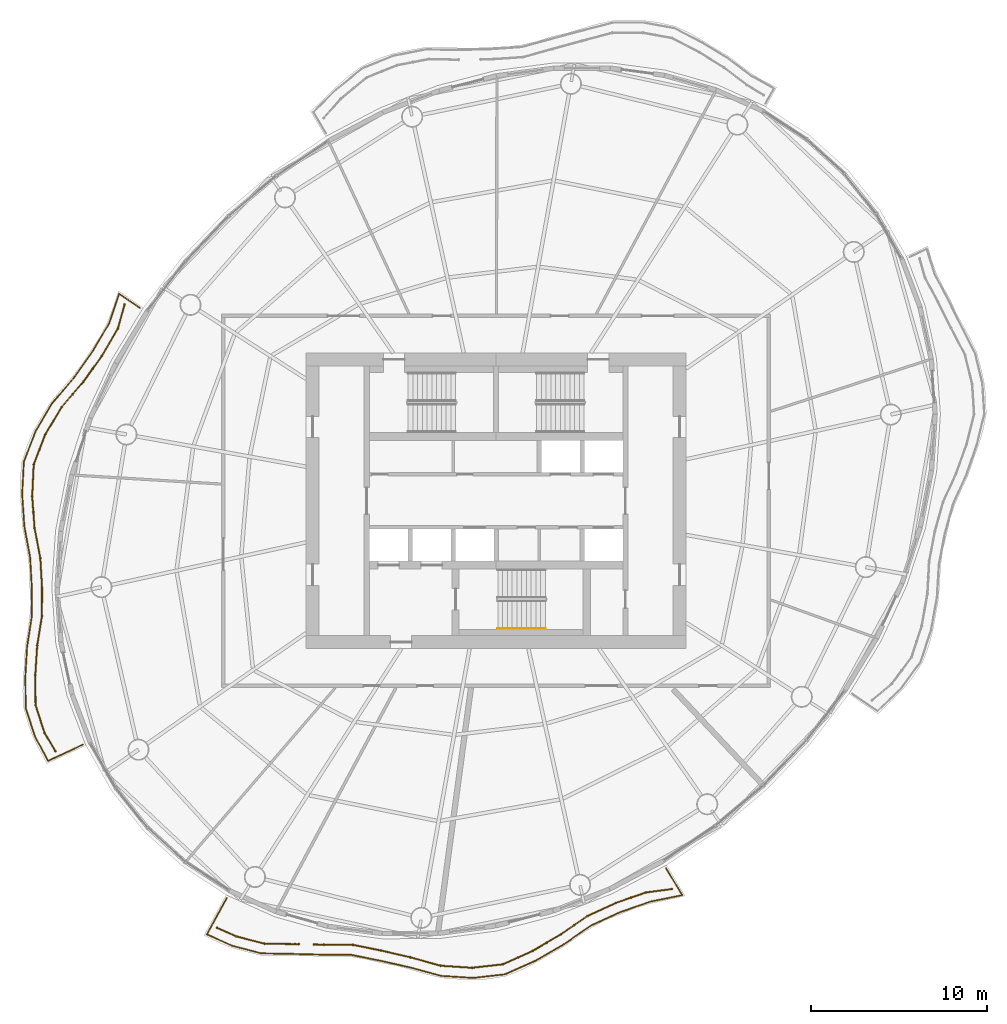
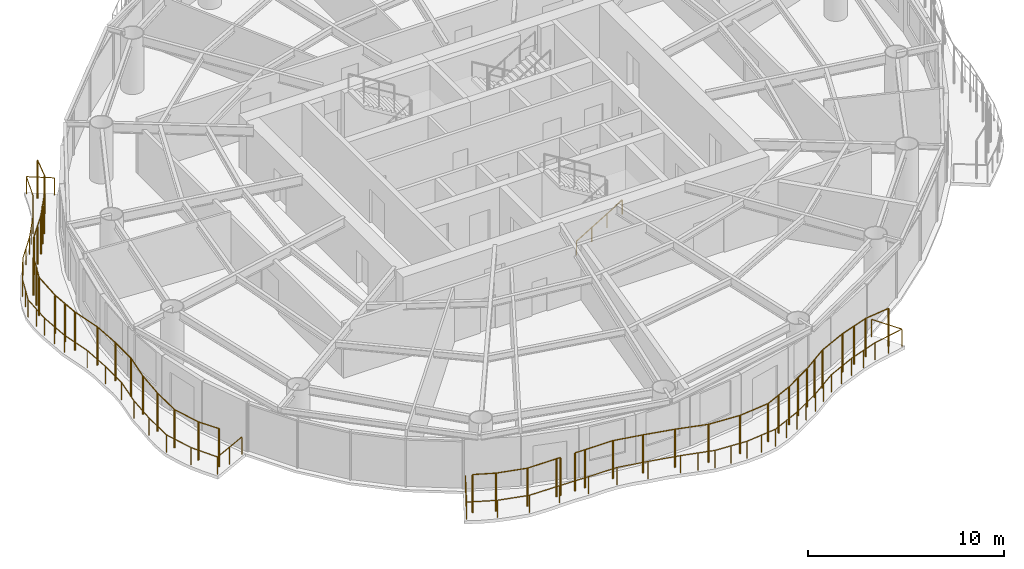
# One storey, part 12 of 14: 6 railings.
"""IFC4 building model written with IfcOpenShell, lengths in metres."""

from ifc_helpers import new_model, si_unit, direction, frame, origin, origin_2d, place, context, subcontext, project, spatial, circle, extrude, material, type_object, element, save


model = new_model("IFC4")

# Units and contexts
model_context = context("Model", 3, precision=1e-05, world=origin(), true_north=direction((0.0, 1.0)))
body_context = subcontext(model_context, "Body", "Model", "MODEL_VIEW")
ifc_project = project(units=[si_unit("LENGTHUNIT", "METRE"), si_unit("AREAUNIT", "SQUARE_METRE"), si_unit("VOLUMEUNIT", "CUBIC_METRE"), si_unit("PLANEANGLEUNIT", "RADIAN"), si_unit("MASSUNIT", "GRAM", prefix="KILO")], contexts=[model_context])

# Site, building, storey
site_placement = place(None, origin())
site = spatial("IfcSite", under=ifc_project, at=site_placement, CompositionType="ELEMENT")
building_placement = place(site_placement, origin())
building = spatial("IfcBuilding", under=site, at=building_placement, Name="Vermilion Reach Broadcast Tower", CompositionType="ELEMENT")
storey_placement = place(building_placement, frame((0.0, 0.0, 206.5)))
storey = spatial("IfcBuildingStorey", under=building, at=storey_placement, Name="L50", CompositionType="ELEMENT", Elevation=206.5)

# Railings
ifc_material_1 = material(Name="Terracotta baguette", Category="masonry")
railing_type_1 = type_object("IfcRailingType", Name="BAGUETTE SCREEN", PredefinedType="USERDEFINED", material=ifc_material_1)
railing_1_placement = place(storey_placement, frame((-27.10693359375, 11.153564453125, 0.0)))
element("IfcRailing", 1, at=railing_1_placement, inside=storey, type_object=railing_type_1, Name="Baguette screen L50 group 2", ObjectType="BAGUETTE SCREEN", PredefinedType="USERDEFINED", context=body_context, shape_type="SweptSolid", body=[
    extrude(circle(Radius=0.030029296875, at=origin_2d()), frame((0.0, 0.0, 2.369873046875), z_axis=(-0.26757304675, -0.963537578226, 0.0), x_axis=(0.963537578226, -0.26757304675, 0.0)), (0.0, 0.0, 1.0), 1.42236328125),
    extrude(circle(Radius=0.030029296875, at=origin_2d()), frame((-0.380615234375, -1.37060546875, 2.369873046875), z_axis=(-0.506343305904, -0.862331987442, 0.0), x_axis=(0.862331987442, -0.506343305904, 0.0)), (0.0, 0.0, 1.0), 1.797607421875),
    extrude(circle(Radius=0.030029296875, at=origin_2d()), frame((-1.290771484375, -2.920654296875, 2.369873046875), z_axis=(-0.581891915978, -0.813266129948, 0.0), x_axis=(0.813266129948, -0.581891915978, 0.0)), (0.0, 0.0, 1.0), 1.80126953125),
    extrude(circle(Radius=0.030029296875, at=origin_2d()), frame((-2.3388671875, -4.385498046875, 2.369873046875), z_axis=(-0.651184430112, -0.758919520094, 0.0), x_axis=(0.758919520094, -0.651184430112, 0.0)), (0.0, 0.0, 1.0), 1.89208984375),
    extrude(circle(Radius=0.030029296875, at=origin_2d()), frame((-3.571044921875, -5.821533203125, 2.369873046875), z_axis=(-0.51243530687, -0.858725833007, 0.0), x_axis=(0.858725833007, -0.51243530687, 0.0)), (0.0, 0.0, 1.0), 1.830810546875),
    extrude(circle(Radius=0.030029296875, at=origin_2d()), frame((-4.50927734375, -7.393798828125, 2.369873046875), z_axis=(-0.358278659493, -0.933614696838, 0.0), x_axis=(0.933614696838, -0.358278659493, 0.0)), (0.0, 0.0, 1.0), 1.822021484375),
    extrude(circle(Radius=0.030029296875, at=origin_2d()), frame((-5.162109375, -9.094970703125, 2.369873046875), z_axis=(-0.047352418843, -0.998878245048, 0.0), x_axis=(0.998878245048, -0.047352418843, 0.0)), (0.0, 0.0, 1.0), 1.79931640625),
    extrude(circle(Radius=0.030029296875, at=origin_2d()), frame((-5.247314453125, -10.892333984375, 2.369873046875), z_axis=(0.072334800683, -0.997380407172, 0.0), x_axis=(0.997380407172, 0.072334800683, 0.0)), (0.0, 0.0, 1.0), 1.80224609375),
    extrude(circle(Radius=0.030029296875, at=origin_2d()), frame((-5.116943359375, -12.68994140625, 2.369873046875), z_axis=(0.1889093531, -0.981994529675, 0.0), x_axis=(0.981994529675, 0.1889093531, 0.0)), (0.0, 0.0, 1.0), 1.753662109375),
    extrude(circle(Radius=0.030029296875, at=origin_2d()), frame((-4.78564453125, -14.412109375, 2.369873046875), z_axis=(0.057753470381, -0.998330875341, 0.0), x_axis=(0.998330875341, 0.057753470381, 0.0)), (0.0, 0.0, 1.0), 1.669677734375),
    extrude(circle(Radius=0.030029296875, at=origin_2d()), frame((-4.689208984375, -16.0791015625, 2.369873046875), z_axis=(-0.003466967406, -0.99999399005, 0.0), x_axis=(0.99999399005, -0.003466967406, 0.0)), (0.0, 0.0, 1.0), 1.61962890625),
    extrude(circle(Radius=0.030029296875, at=origin_2d()), frame((-4.69482421875, -17.69873046875, 2.369873046875), z_axis=(-0.158074647364, -0.987427164838, 0.0), x_axis=(0.987427164838, -0.158074647364, 0.0)), (0.0, 0.0, 1.0), 1.697265625),
    extrude(circle(Radius=0.030029296875, at=origin_2d()), frame((-4.963134765625, -19.374755859375, 2.369873046875), z_axis=(-0.064713963172, -0.997903854572, 0.0), x_axis=(0.997903854572, -0.064713963172, 0.0)), (0.0, 0.0, 1.0), 1.6787109375),
    extrude(circle(Radius=0.030029296875, at=origin_2d()), frame((-5.07177734375, -21.050048828125, 2.369873046875), z_axis=(0.008546696379, -0.999963476324, 0.0), x_axis=(0.999963476324, 0.008546696379, 0.0)), (0.0, 0.0, 1.0), 1.7138671875),
    extrude(circle(Radius=0.030029296875, at=origin_2d()), frame((-5.05712890625, -22.763916015625, 2.369873046875), z_axis=(0.308352576675, -0.951272142164, 0.0), x_axis=(0.951272142164, 0.308352576675, 0.0)), (0.0, 0.0, 1.0), 1.6484375),
    extrude(circle(Radius=0.030029296875, at=origin_2d()), frame((-4.548828125, -24.33203125, 2.369873046875), z_axis=(0.507681605412, -0.86154476815, 0.0), x_axis=(0.86154476815, 0.507681605412, 0.0)), (0.0, 0.0, 1.0), 1.20947265625),
    extrude(circle(Radius=0.050048828125, at=origin_2d()), origin(), (0.0, 0.0, 1.0), 2.33984375),
    extrude(circle(Radius=0.050048828125, at=origin_2d()), frame((-0.380615234375, -1.37060546875, 0.0)), (0.0, 0.0, 1.0), 2.33984375),
    extrude(circle(Radius=0.050048828125, at=origin_2d()), frame((-1.290771484375, -2.920654296875, 0.0)), (0.0, 0.0, 1.0), 2.33984375),
    extrude(circle(Radius=0.050048828125, at=origin_2d()), frame((-1.81494140625, -3.653076171875, 0.0)), (0.0, 0.0, 1.0), 2.33984375),
    extrude(circle(Radius=0.050048828125, at=origin_2d()), frame((-2.3388671875, -4.385498046875, 0.0)), (0.0, 0.0, 1.0), 2.33984375),
    extrude(circle(Radius=0.050048828125, at=origin_2d()), frame((-2.955078125, -5.103515625, 0.0)), (0.0, 0.0, 1.0), 2.33984375),
    extrude(circle(Radius=0.050048828125, at=origin_2d()), frame((-3.571044921875, -5.821533203125, 0.0)), (0.0, 0.0, 1.0), 2.33984375),
    extrude(circle(Radius=0.050048828125, at=origin_2d()), frame((-4.0400390625, -6.607666015625, 0.0)), (0.0, 0.0, 1.0), 2.33984375),
    extrude(circle(Radius=0.050048828125, at=origin_2d()), frame((-4.50927734375, -7.393798828125, 0.0)), (0.0, 0.0, 1.0), 2.33984375),
    extrude(circle(Radius=0.050048828125, at=origin_2d()), frame((-4.835693359375, -8.244384765625, 0.0)), (0.0, 0.0, 1.0), 2.33984375),
    extrude(circle(Radius=0.050048828125, at=origin_2d()), frame((-5.162109375, -9.094970703125, 0.0)), (0.0, 0.0, 1.0), 2.33984375),
    extrude(circle(Radius=0.050048828125, at=origin_2d()), frame((-5.247314453125, -10.892333984375, 0.0)), (0.0, 0.0, 1.0), 2.33984375),
    extrude(circle(Radius=0.050048828125, at=origin_2d()), frame((-5.18212890625, -11.791015625, 0.0)), (0.0, 0.0, 1.0), 2.33984375),
    extrude(circle(Radius=0.050048828125, at=origin_2d()), frame((-5.116943359375, -12.68994140625, 0.0)), (0.0, 0.0, 1.0), 2.33984375),
    extrude(circle(Radius=0.050048828125, at=origin_2d()), frame((-4.78564453125, -14.412109375, 0.0)), (0.0, 0.0, 1.0), 2.33984375),
    extrude(circle(Radius=0.050048828125, at=origin_2d()), frame((-4.689208984375, -16.0791015625, 0.0)), (0.0, 0.0, 1.0), 2.33984375),
    extrude(circle(Radius=0.050048828125, at=origin_2d()), frame((-4.69482421875, -17.69873046875, 0.0)), (0.0, 0.0, 1.0), 2.33984375),
    extrude(circle(Radius=0.050048828125, at=origin_2d()), frame((-4.963134765625, -19.374755859375, 0.0)), (0.0, 0.0, 1.0), 2.33984375),
    extrude(circle(Radius=0.050048828125, at=origin_2d()), frame((-5.07177734375, -21.050048828125, 0.0)), (0.0, 0.0, 1.0), 2.33984375),
    extrude(circle(Radius=0.050048828125, at=origin_2d()), frame((-5.05712890625, -22.763916015625, 0.0)), (0.0, 0.0, 1.0), 2.33984375),
    extrude(circle(Radius=0.050048828125, at=origin_2d()), frame((-4.548828125, -24.33203125, 0.0)), (0.0, 0.0, 1.0), 2.33984375),
    extrude(circle(Radius=0.050048828125, at=origin_2d()), frame((-3.934814453125, -25.3740234375, 0.0)), (0.0, 0.0, 1.0), 2.33984375),
])
railing_2_placement = place(storey_placement, frame((-21.852294921875, -24.2587890625, 0.0)))
element("IfcRailing", 2, at=railing_2_placement, inside=storey, type_object=railing_type_1, Name="Baguette screen L50 group 3 part 1", ObjectType="BAGUETTE SCREEN", PredefinedType="USERDEFINED", context=body_context, shape_type="SweptSolid", body=[
    extrude(circle(Radius=0.030029296875, at=origin_2d()), frame((0.0, 0.0, 2.369873046875), z_axis=(0.9140868449, -0.405518482909, 0.0), x_axis=(0.405518482909, 0.9140868449, 0.0)), (0.0, 0.0, 1.0), 1.205810546875),
    extrude(circle(Radius=0.030029296875, at=origin_2d()), frame((1.102294921875, -0.489013671875, 2.369873046875), z_axis=(0.967805237382, -0.251700263202, 0.0), x_axis=(0.251700263202, 0.967805237382, 0.0)), (0.0, 0.0, 1.0), 1.65283203125),
    extrude(circle(Radius=0.030029296875, at=origin_2d()), frame((2.701904296875, -0.905029296875, 2.369873046875), z_axis=(0.999949292122, -0.010070411311, 0.0), x_axis=(0.010070411311, 0.999949292122, 0.0)), (0.0, 0.0, 1.0), 1.72119140625),
    extrude(circle(Radius=0.030029296875, at=origin_2d()), frame((4.423095703125, -0.92236328125, 2.369873046875), z_axis=(0.999787991135, -0.02059059936, 0.0), x_axis=(0.02059059936, 0.999787991135, 0.0)), (0.0, 0.0, 1.0), 0.21337890625),
    extrude(circle(Radius=0.050048828125, at=origin_2d()), origin(), (0.0, 0.0, 1.0), 2.33984375),
    extrude(circle(Radius=0.050048828125, at=origin_2d()), frame((1.102294921875, -0.489013671875, 0.0)), (0.0, 0.0, 1.0), 2.33984375),
    extrude(circle(Radius=0.050048828125, at=origin_2d()), frame((2.701904296875, -0.905029296875, 0.0)), (0.0, 0.0, 1.0), 2.33984375),
    extrude(circle(Radius=0.050048828125, at=origin_2d()), frame((4.423095703125, -0.92236328125, 0.0)), (0.0, 0.0, 1.0), 2.33984375),
    extrude(circle(Radius=0.050048828125, at=origin_2d()), frame((4.636474609375, -0.9267578125, 0.0)), (0.0, 0.0, 1.0), 2.33984375),
])
railing_3_placement = place(storey_placement, frame((-16.34423828125, -25.202392578125, 0.0)))
element("IfcRailing", 3, at=railing_3_placement, inside=storey, type_object=railing_type_1, Name="Baguette screen L50 group 3 part 2", ObjectType="BAGUETTE SCREEN", PredefinedType="USERDEFINED", context=body_context, shape_type="SweptSolid", body=[
    extrude(circle(Radius=0.030029296875, at=origin_2d()), frame((0.0, 0.0, 2.369873046875), z_axis=(0.99980898831, -0.019544485002, 0.0), x_axis=(0.019544485002, 0.99980898831, 0.0)), (0.0, 0.0, 1.0), 0.56201171875),
    extrude(circle(Radius=0.030029296875, at=origin_2d()), frame((0.56201171875, -0.010986328125, 2.369873046875), z_axis=(0.999985735849, -0.005341170102, 0.0), x_axis=(0.005341170102, 0.999985735849, 0.0)), (0.0, 0.0, 1.0), 1.6455078125),
    extrude(circle(Radius=0.030029296875, at=origin_2d()), frame((2.20751953125, -0.019775390625, 2.369873046875), z_axis=(0.979817257663, -0.199895326575, 0.0), x_axis=(0.199895326575, 0.979817257663, 0.0)), (0.0, 0.0, 1.0), 1.626708984375),
    extrude(circle(Radius=0.030029296875, at=origin_2d()), frame((3.801513671875, -0.344970703125, 2.369873046875), z_axis=(0.974557058933, -0.224139552252, 0.0), x_axis=(0.224139552252, 0.974557058933, 0.0)), (0.0, 0.0, 1.0), 1.708984375),
    extrude(circle(Radius=0.030029296875, at=origin_2d()), frame((5.467041015625, -0.72802734375, 2.369873046875), z_axis=(0.963117227334, -0.269082155507, 0.0), x_axis=(0.269082155507, 0.963117227334, 0.0)), (0.0, 0.0, 1.0), 1.78564453125),
    extrude(circle(Radius=0.030029296875, at=origin_2d()), frame((7.186767578125, -1.20849609375, 2.369873046875), z_axis=(0.997848496314, -0.065562019523, 0.0), x_axis=(0.065562019523, 0.997848496314, 0.0)), (0.0, 0.0, 1.0), 1.794921875),
    extrude(circle(Radius=0.030029296875, at=origin_2d()), frame((8.977783203125, -1.326171875, 2.369873046875), z_axis=(0.993650653194, 0.112509463631, 0.0), x_axis=(-0.112509463631, 0.993650653194, 0.0)), (0.0, 0.0, 1.0), 1.779296875),
    extrude(circle(Radius=0.030029296875, at=origin_2d()), frame((10.745849609375, -1.1259765625, 2.369873046875), z_axis=(0.910737470012, 0.412985787548, 0.0), x_axis=(-0.412985787548, 0.910737470012, 0.0)), (0.0, 0.0, 1.0), 1.84619140625),
    extrude(circle(Radius=0.030029296875, at=origin_2d()), frame((12.42724609375, -0.363525390625, 2.369873046875), z_axis=(0.863247752288, 0.504780465321, 0.0), x_axis=(-0.504780465321, 0.863247752288, 0.0)), (0.0, 0.0, 1.0), 1.83544921875),
    extrude(circle(Radius=0.030029296875, at=origin_2d()), frame((14.01171875, 0.56298828125, 2.369873046875), z_axis=(0.822661928513, 0.568530871084, 0.0), x_axis=(-0.568530871084, 0.822661928513, 0.0)), (0.0, 0.0, 1.0), 1.851318359375),
    extrude(circle(Radius=0.030029296875, at=origin_2d()), frame((15.53466796875, 1.615478515625, 2.369873046875), z_axis=(0.907604064961, 0.419827180238, 0.0), x_axis=(-0.419827180238, 0.907604064961, 0.0)), (0.0, 0.0, 1.0), 1.771240234375),
    extrude(circle(Radius=0.030029296875, at=origin_2d()), frame((17.142333984375, 2.359130859375, 2.369873046875), z_axis=(0.94503241908, 0.326976645782, 0.0), x_axis=(-0.326976645782, 0.94503241908, 0.0)), (0.0, 0.0, 1.0), 1.81591796875),
    extrude(circle(Radius=0.030029296875, at=origin_2d()), frame((18.8583984375, 2.952880859375, 2.369873046875), z_axis=(0.991448672213, 0.13049724276, 0.0), x_axis=(-0.13049724276, 0.991448672213, 0.0)), (0.0, 0.0, 1.0), 1.47802734375),
    extrude(circle(Radius=0.050048828125, at=origin_2d()), origin(), (0.0, 0.0, 1.0), 2.33984375),
    extrude(circle(Radius=0.050048828125, at=origin_2d()), frame((0.56201171875, -0.010986328125, 0.0)), (0.0, 0.0, 1.0), 2.33984375),
    extrude(circle(Radius=0.050048828125, at=origin_2d()), frame((2.20751953125, -0.019775390625, 0.0)), (0.0, 0.0, 1.0), 2.33984375),
    extrude(circle(Radius=0.050048828125, at=origin_2d()), frame((3.801513671875, -0.344970703125, 0.0)), (0.0, 0.0, 1.0), 2.33984375),
    extrude(circle(Radius=0.050048828125, at=origin_2d()), frame((5.467041015625, -0.72802734375, 0.0)), (0.0, 0.0, 1.0), 2.33984375),
    extrude(circle(Radius=0.050048828125, at=origin_2d()), frame((7.186767578125, -1.20849609375, 0.0)), (0.0, 0.0, 1.0), 2.33984375),
    extrude(circle(Radius=0.050048828125, at=origin_2d()), frame((8.977783203125, -1.326171875, 0.0)), (0.0, 0.0, 1.0), 2.33984375),
    extrude(circle(Radius=0.050048828125, at=origin_2d()), frame((10.745849609375, -1.1259765625, 0.0)), (0.0, 0.0, 1.0), 2.33984375),
    extrude(circle(Radius=0.050048828125, at=origin_2d()), frame((11.58642578125, -0.74462890625, 0.0)), (0.0, 0.0, 1.0), 2.33984375),
    extrude(circle(Radius=0.050048828125, at=origin_2d()), frame((12.42724609375, -0.363525390625, 0.0)), (0.0, 0.0, 1.0), 2.33984375),
    extrude(circle(Radius=0.050048828125, at=origin_2d()), frame((13.219482421875, 0.099609375, 0.0)), (0.0, 0.0, 1.0), 2.33984375),
    extrude(circle(Radius=0.050048828125, at=origin_2d()), frame((14.01171875, 0.56298828125, 0.0)), (0.0, 0.0, 1.0), 2.33984375),
    extrude(circle(Radius=0.050048828125, at=origin_2d()), frame((14.773193359375, 1.08935546875, 0.0)), (0.0, 0.0, 1.0), 2.33984375),
    extrude(circle(Radius=0.050048828125, at=origin_2d()), frame((15.53466796875, 1.615478515625, 0.0)), (0.0, 0.0, 1.0), 2.33984375),
    extrude(circle(Radius=0.050048828125, at=origin_2d()), frame((17.142333984375, 2.359130859375, 0.0)), (0.0, 0.0, 1.0), 2.33984375),
    extrude(circle(Radius=0.050048828125, at=origin_2d()), frame((18.00048828125, 2.656005859375, 0.0)), (0.0, 0.0, 1.0), 2.33984375),
    extrude(circle(Radius=0.050048828125, at=origin_2d()), frame((18.8583984375, 2.952880859375, 0.0)), (0.0, 0.0, 1.0), 2.33984375),
    extrude(circle(Radius=0.050048828125, at=origin_2d()), frame((20.32373046875, 3.145751953125, 0.0)), (0.0, 0.0, 1.0), 2.33984375),
])
ifc_material_2 = material(Name="Stainless steel 316 balustrade", Category="steel")
railing_type_2 = type_object("IfcRailingType", Name="Balcony guard 1100", PredefinedType="BALUSTRADE", material=ifc_material_2)
railing_4_placement = place(storey_placement, frame((-26.23193359375, 10.95361328125, 0.0)))
element("IfcRailing", 4, at=railing_4_placement, inside=storey, type_object=railing_type_2, Name="Balcony guard L50 group 2", PredefinedType="BALUSTRADE", context=body_context, shape_type="SweptSolid", body=[
    extrude(circle(Radius=0.02490234375, at=origin_2d()), frame((0.0, 0.0, 1.0751953125), z_axis=(-0.825119161647, 0.564958732195, 0.0), x_axis=(-0.564958732195, -0.825119161647, 0.0)), (0.0, 0.0, 1.0), 1.432861328125),
    extrude(circle(Radius=0.02490234375, at=origin_2d()), frame((-1.182373046875, 0.8095703125, 1.0751953125), z_axis=(-0.32085086731, -0.947129727622, 0.0), x_axis=(0.947129727622, -0.32085086731, 0.0)), (0.0, 0.0, 1.0), 1.77294921875),
    extrude(circle(Radius=0.02490234375, at=origin_2d()), frame((-1.751220703125, -0.86962890625, 1.0751953125), z_axis=(-0.506232920728, -0.862396793809, 0.0), x_axis=(0.862396793809, -0.506232920728, 0.0)), (0.0, 0.0, 1.0), 1.830322265625),
    extrude(circle(Radius=0.02490234375, at=origin_2d()), frame((-2.677734375, -2.447998046875, 1.0751953125), z_axis=(-0.57952378636, -0.814955324569, 0.0), x_axis=(0.814955324569, -0.57952378636, 0.0)), (0.0, 0.0, 1.0), 1.83349609375),
    extrude(circle(Radius=0.02490234375, at=origin_2d()), frame((-3.740234375, -3.942138671875, 1.0751953125), z_axis=(-0.647107049243, -0.762399151901, 0.0), x_axis=(0.762399151901, -0.647107049243, 0.0)), (0.0, 0.0, 1.0), 1.9248046875),
    extrude(circle(Radius=0.02490234375, at=origin_2d()), frame((-4.98583984375, -5.40966796875, 1.0751953125), z_axis=(-0.509479246919, -0.860482944025, 0.0), x_axis=(0.860482944025, -0.509479246919, 0.0)), (0.0, 0.0, 1.0), 1.864013671875),
    extrude(circle(Radius=0.02490234375, at=origin_2d()), frame((-5.935546875, -7.013671875, 1.0751953125), z_axis=(-0.35686425063, -0.934156253858, 0.0), x_axis=(0.934156253858, -0.35686425063, 0.0)), (0.0, 0.0, 1.0), 1.857421875),
    extrude(circle(Radius=0.02490234375, at=origin_2d()), frame((-6.598388671875, -8.748779296875, 1.0751953125), z_axis=(-0.050707603877, -0.998713541967, 0.0), x_axis=(0.998713541967, -0.050707603877, 0.0)), (0.0, 0.0, 1.0), 1.83447265625),
    extrude(circle(Radius=0.02490234375, at=origin_2d()), frame((-6.69140625, -10.580810546875, 1.0751953125), z_axis=(0.067726474436, -0.997703926353, 0.0), x_axis=(0.997703926353, 0.067726474436, 0.0)), (0.0, 0.0, 1.0), 1.83837890625),
    extrude(circle(Radius=0.02490234375, at=origin_2d()), frame((-6.56689453125, -12.4150390625, 1.0751953125), z_axis=(0.183085775352, -0.98309694276, 0.0), x_axis=(0.98309694276, 0.183085775352, 0.0)), (0.0, 0.0, 1.0), 1.78955078125),
    extrude(circle(Radius=0.02490234375, at=origin_2d()), frame((-6.2392578125, -14.17431640625, 1.0751953125), z_axis=(0.055580807206, -0.998454192174, 0.0), x_axis=(0.998454192174, 0.055580807206, 0.0)), (0.0, 0.0, 1.0), 1.708740234375),
    extrude(circle(Radius=0.02490234375, at=origin_2d()), frame((-6.144287109375, -15.88037109375, 1.0751953125), z_axis=(-0.002501831758, -0.999996870414, 0.0), x_axis=(0.999996870414, -0.002501831758, 0.0)), (0.0, 0.0, 1.0), 1.658935546875),
    extrude(circle(Radius=0.02490234375, at=origin_2d()), frame((-6.1484375, -17.539306640625, 1.0751953125), z_axis=(-0.151919895741, -0.9883928092, 0.0), x_axis=(0.9883928092, -0.151919895741, 0.0)), (0.0, 0.0, 1.0), 1.7373046875),
    extrude(circle(Radius=0.02490234375, at=origin_2d()), frame((-6.412353515625, -19.25634765625, 1.0751953125), z_axis=(-0.058946836398, -0.998261123393, 0.0), x_axis=(0.998261123393, -0.058946836398, 0.0)), (0.0, 0.0, 1.0), 1.71875),
    extrude(circle(Radius=0.02490234375, at=origin_2d()), frame((-6.513671875, -20.97216796875, 1.0751953125), z_axis=(0.014319999826, -0.999897463546, 0.0), x_axis=(0.999897463546, 0.014319999826, 0.0)), (0.0, 0.0, 1.0), 1.756103515625),
    extrude(circle(Radius=0.02490234375, at=origin_2d()), frame((-6.488525390625, -22.72802734375, 1.0751953125), z_axis=(0.308684677908, -0.95116442828, 0.0), x_axis=(0.95116442828, 0.308684677908, 0.0)), (0.0, 0.0, 1.0), 1.691650390625),
    extrude(circle(Radius=0.02490234375, at=origin_2d()), frame((-5.96630859375, -24.337158203125, 1.0751953125), z_axis=(0.47334422757, -0.880877540993, 0.0), x_axis=(0.880877540993, 0.47334422757, 0.0)), (0.0, 0.0, 1.0), 1.580322265625),
    extrude(circle(Radius=0.02490234375, at=origin_2d()), frame((-5.21826171875, -25.729248046875, 1.0751953125), z_axis=(0.905345476043, 0.424675839917, 0.0), x_axis=(-0.424675839917, 0.905345476043, 0.0)), (0.0, 0.0, 1.0), 2.17138671875),
    extrude(circle(Radius=0.02490234375, at=origin_2d()), origin(), (0.0, 0.0, 1.0), 1.050048828125),
    extrude(circle(Radius=0.02490234375, at=origin_2d()), frame((-1.182373046875, 0.8095703125, 0.0)), (0.0, 0.0, 1.0), 1.050048828125),
    extrude(circle(Radius=0.02490234375, at=origin_2d()), frame((-1.751220703125, -0.86962890625, 0.0)), (0.0, 0.0, 1.0), 1.050048828125),
    extrude(circle(Radius=0.02490234375, at=origin_2d()), frame((-2.21435546875, -1.65869140625, 0.0)), (0.0, 0.0, 1.0), 1.050048828125),
    extrude(circle(Radius=0.02490234375, at=origin_2d()), frame((-2.677734375, -2.447998046875, 0.0)), (0.0, 0.0, 1.0), 1.050048828125),
    extrude(circle(Radius=0.02490234375, at=origin_2d()), frame((-3.208984375, -3.195068359375, 0.0)), (0.0, 0.0, 1.0), 1.050048828125),
    extrude(circle(Radius=0.02490234375, at=origin_2d()), frame((-3.740234375, -3.942138671875, 0.0)), (0.0, 0.0, 1.0), 1.050048828125),
    extrude(circle(Radius=0.02490234375, at=origin_2d()), frame((-4.363037109375, -4.67578125, 0.0)), (0.0, 0.0, 1.0), 1.050048828125),
    extrude(circle(Radius=0.02490234375, at=origin_2d()), frame((-4.98583984375, -5.40966796875, 0.0)), (0.0, 0.0, 1.0), 1.050048828125),
    extrude(circle(Radius=0.02490234375, at=origin_2d()), frame((-5.460693359375, -6.211669921875, 0.0)), (0.0, 0.0, 1.0), 1.050048828125),
    extrude(circle(Radius=0.02490234375, at=origin_2d()), frame((-5.935546875, -7.013671875, 0.0)), (0.0, 0.0, 1.0), 1.050048828125),
    extrude(circle(Radius=0.02490234375, at=origin_2d()), frame((-6.26708984375, -7.88134765625, 0.0)), (0.0, 0.0, 1.0), 1.050048828125),
    extrude(circle(Radius=0.02490234375, at=origin_2d()), frame((-6.598388671875, -8.748779296875, 0.0)), (0.0, 0.0, 1.0), 1.050048828125),
    extrude(circle(Radius=0.02490234375, at=origin_2d()), frame((-6.64501953125, -9.664794921875, 0.0)), (0.0, 0.0, 1.0), 1.050048828125),
    extrude(circle(Radius=0.02490234375, at=origin_2d()), frame((-6.69140625, -10.580810546875, 0.0)), (0.0, 0.0, 1.0), 1.050048828125),
    extrude(circle(Radius=0.02490234375, at=origin_2d()), frame((-6.629150390625, -11.498046875, 0.0)), (0.0, 0.0, 1.0), 1.050048828125),
    extrude(circle(Radius=0.02490234375, at=origin_2d()), frame((-6.56689453125, -12.4150390625, 0.0)), (0.0, 0.0, 1.0), 1.050048828125),
    extrude(circle(Radius=0.02490234375, at=origin_2d()), frame((-6.2392578125, -14.17431640625, 0.0)), (0.0, 0.0, 1.0), 1.050048828125),
    extrude(circle(Radius=0.02490234375, at=origin_2d()), frame((-6.144287109375, -15.88037109375, 0.0)), (0.0, 0.0, 1.0), 1.050048828125),
    extrude(circle(Radius=0.02490234375, at=origin_2d()), frame((-6.1484375, -17.539306640625, 0.0)), (0.0, 0.0, 1.0), 1.050048828125),
    extrude(circle(Radius=0.02490234375, at=origin_2d()), frame((-6.412353515625, -19.25634765625, 0.0)), (0.0, 0.0, 1.0), 1.050048828125),
    extrude(circle(Radius=0.02490234375, at=origin_2d()), frame((-6.513671875, -20.97216796875, 0.0)), (0.0, 0.0, 1.0), 1.050048828125),
    extrude(circle(Radius=0.02490234375, at=origin_2d()), frame((-6.488525390625, -22.72802734375, 0.0)), (0.0, 0.0, 1.0), 1.050048828125),
    extrude(circle(Radius=0.02490234375, at=origin_2d()), frame((-5.96630859375, -24.337158203125, 0.0)), (0.0, 0.0, 1.0), 1.050048828125),
    extrude(circle(Radius=0.02490234375, at=origin_2d()), frame((-5.21826171875, -25.729248046875, 0.0)), (0.0, 0.0, 1.0), 1.050048828125),
    extrude(circle(Radius=0.02490234375, at=origin_2d()), frame((-4.2353515625, -25.26806640625, 0.0)), (0.0, 0.0, 1.0), 1.050048828125),
    extrude(circle(Radius=0.02490234375, at=origin_2d()), frame((-3.25244140625, -24.80712890625, 0.0)), (0.0, 0.0, 1.0), 1.050048828125),
])
railing_5_placement = place(storey_placement, frame((-21.30078125, -22.568115234375, 0.0)))
element("IfcRailing", 5, at=railing_5_placement, inside=storey, type_object=railing_type_2, Name="Balcony guard L50 group 3", PredefinedType="BALUSTRADE", context=body_context, shape_type="SweptSolid", body=[
    extrude(circle(Radius=0.02490234375, at=origin_2d()), frame((0.0, 0.0, 1.0751953125), z_axis=(-0.480675649883, -0.876898465964, 0.0), x_axis=(0.876898465964, -0.480675649883, 0.0)), (0.0, 0.0, 1.0), 2.353271484375),
    extrude(circle(Radius=0.02490234375, at=origin_2d()), frame((-1.131103515625, -2.0634765625, 1.0751953125), z_axis=(0.913039304317, -0.407871583678, 0.0), x_axis=(0.407871583678, 0.913039304317, 0.0)), (0.0, 0.0, 1.0), 1.580810546875),
    extrude(circle(Radius=0.02490234375, at=origin_2d()), frame((0.312255859375, -2.708251953125, 1.0751953125), z_axis=(0.966945730032, -0.254982264426, 0.0), x_axis=(0.254982264426, 0.966945730032, 0.0)), (0.0, 0.0, 1.0), 1.69580078125),
    extrude(circle(Radius=0.02490234375, at=origin_2d()), frame((1.951904296875, -3.140625, 1.0751953125), z_axis=(0.999847672576, -0.01745370002, 0.0), x_axis=(0.01745370002, 0.999847672576, 0.0)), (0.0, 0.0, 1.0), 1.762451171875),
    extrude(circle(Radius=0.02490234375, at=origin_2d()), frame((3.714111328125, -3.17138671875, 1.0751953125), z_axis=(0.999690351451, -0.024883754045, 0.0), x_axis=(0.024883754045, 0.999690351451, 0.0)), (0.0, 0.0, 1.0), 1.6875),
    extrude(circle(Radius=0.02490234375, at=origin_2d()), frame((5.401123046875, -3.21337890625, 1.0751953125), z_axis=(0.999957073738, -0.009265564314, 0.0), x_axis=(0.009265564314, 0.999957073738, 0.0)), (0.0, 0.0, 1.0), 1.686279296875),
    extrude(circle(Radius=0.02490234375, at=origin_2d()), frame((7.08740234375, -3.22900390625, 1.0751953125), z_axis=(0.980314812475, -0.197440797309, 0.0), x_axis=(0.197440797309, 0.980314812475, 0.0)), (0.0, 0.0, 1.0), 1.66552734375),
    extrude(circle(Radius=0.02490234375, at=origin_2d()), frame((8.72021484375, -3.557861328125, 1.0751953125), z_axis=(0.975525165692, -0.219887814807, 0.0), x_axis=(0.219887814807, 0.975525165692, 0.0)), (0.0, 0.0, 1.0), 1.74755859375),
    extrude(circle(Radius=0.02490234375, at=origin_2d()), frame((10.425048828125, -3.942138671875, 1.0751953125), z_axis=(0.964748350266, -0.263174126122, 0.0), x_axis=(0.263174126122, 0.964748350266, 0.0)), (0.0, 0.0, 1.0), 1.821044921875),
    extrude(circle(Radius=0.02490234375, at=origin_2d()), frame((12.181884765625, -4.42138671875, 1.0751953125), z_axis=(0.99806086774, -0.062245516191, 0.0), x_axis=(0.062245516191, 0.99806086774, 0.0)), (0.0, 0.0, 1.0), 1.831787109375),
    extrude(circle(Radius=0.02490234375, at=origin_2d()), frame((14.010009765625, -4.535400390625, 1.0751953125), z_axis=(0.993547841082, 0.113413788765, 0.0), x_axis=(-0.113413788765, 0.993547841082, 0.0)), (0.0, 0.0, 1.0), 1.814697265625),
    extrude(circle(Radius=0.02490234375, at=origin_2d()), frame((15.81298828125, -4.32958984375, 1.0751953125), z_axis=(0.912312088031, 0.409495609296, 0.0), x_axis=(-0.409495609296, 0.912312088031, 0.0)), (0.0, 0.0, 1.0), 1.881103515625),
    extrude(circle(Radius=0.02490234375, at=origin_2d()), frame((17.529052734375, -3.559326171875, 1.0751953125), z_axis=(0.865503816444, 0.500902329523, 0.0), x_axis=(-0.500902329523, 0.865503816444, 0.0)), (0.0, 0.0, 1.0), 1.8681640625),
    extrude(circle(Radius=0.02490234375, at=origin_2d()), frame((19.14599609375, -2.62353515625, 1.0751953125), z_axis=(0.825291369107, 0.564707141869, 0.0), x_axis=(-0.564707141869, 0.825291369107, 0.0)), (0.0, 0.0, 1.0), 1.884033203125),
    extrude(circle(Radius=0.02490234375, at=origin_2d()), frame((20.700927734375, -1.5595703125, 1.0751953125), z_axis=(0.907856367135, 0.419281309687, 0.0), x_axis=(-0.419281309687, 0.907856367135, 0.0)), (0.0, 0.0, 1.0), 1.803955078125),
    extrude(circle(Radius=0.02490234375, at=origin_2d()), frame((22.338623046875, -0.80322265625, 1.0751953125), z_axis=(0.944330971245, 0.328996985926, 0.0), x_axis=(-0.328996985926, 0.944330971245, 0.0)), (0.0, 0.0, 1.0), 1.848388671875),
    extrude(circle(Radius=0.02490234375, at=origin_2d()), frame((24.084228515625, -0.195068359375, 1.0751953125), z_axis=(0.980103576787, 0.198486721896, 0.0), x_axis=(-0.198486721896, 0.980103576787, 0.0)), (0.0, 0.0, 1.0), 1.821533203125),
    extrude(circle(Radius=0.02490234375, at=origin_2d()), frame((25.86962890625, 0.16650390625, 1.0751953125), z_axis=(-0.512082139094, 0.858936483578, 0.0), x_axis=(-0.858936483578, -0.512082139094, 0.0)), (0.0, 0.0, 1.0), 1.771728515625),
    extrude(circle(Radius=0.02490234375, at=origin_2d()), origin(), (0.0, 0.0, 1.0), 1.050048828125),
    extrude(circle(Radius=0.02490234375, at=origin_2d()), frame((-0.5654296875, -1.03173828125, 0.0)), (0.0, 0.0, 1.0), 1.050048828125),
    extrude(circle(Radius=0.02490234375, at=origin_2d()), frame((-1.131103515625, -2.0634765625, 0.0)), (0.0, 0.0, 1.0), 1.050048828125),
    extrude(circle(Radius=0.02490234375, at=origin_2d()), frame((0.312255859375, -2.708251953125, 0.0)), (0.0, 0.0, 1.0), 1.050048828125),
    extrude(circle(Radius=0.02490234375, at=origin_2d()), frame((1.951904296875, -3.140625, 0.0)), (0.0, 0.0, 1.0), 1.050048828125),
    extrude(circle(Radius=0.02490234375, at=origin_2d()), frame((3.714111328125, -3.17138671875, 0.0)), (0.0, 0.0, 1.0), 1.050048828125),
    extrude(circle(Radius=0.02490234375, at=origin_2d()), frame((5.401123046875, -3.21337890625, 0.0)), (0.0, 0.0, 1.0), 1.050048828125),
    extrude(circle(Radius=0.02490234375, at=origin_2d()), frame((7.08740234375, -3.22900390625, 0.0)), (0.0, 0.0, 1.0), 1.050048828125),
    extrude(circle(Radius=0.02490234375, at=origin_2d()), frame((8.72021484375, -3.557861328125, 0.0)), (0.0, 0.0, 1.0), 1.050048828125),
    extrude(circle(Radius=0.02490234375, at=origin_2d()), frame((10.425048828125, -3.942138671875, 0.0)), (0.0, 0.0, 1.0), 1.050048828125),
    extrude(circle(Radius=0.02490234375, at=origin_2d()), frame((11.303466796875, -4.181640625, 0.0)), (0.0, 0.0, 1.0), 1.050048828125),
    extrude(circle(Radius=0.02490234375, at=origin_2d()), frame((12.181884765625, -4.42138671875, 0.0)), (0.0, 0.0, 1.0), 1.050048828125),
    extrude(circle(Radius=0.02490234375, at=origin_2d()), frame((13.095947265625, -4.478515625, 0.0)), (0.0, 0.0, 1.0), 1.050048828125),
    extrude(circle(Radius=0.02490234375, at=origin_2d()), frame((14.010009765625, -4.535400390625, 0.0)), (0.0, 0.0, 1.0), 1.050048828125),
    extrude(circle(Radius=0.02490234375, at=origin_2d()), frame((14.91162109375, -4.4326171875, 0.0)), (0.0, 0.0, 1.0), 1.050048828125),
    extrude(circle(Radius=0.02490234375, at=origin_2d()), frame((15.81298828125, -4.32958984375, 0.0)), (0.0, 0.0, 1.0), 1.050048828125),
    extrude(circle(Radius=0.02490234375, at=origin_2d()), frame((16.6708984375, -3.9443359375, 0.0)), (0.0, 0.0, 1.0), 1.050048828125),
    extrude(circle(Radius=0.02490234375, at=origin_2d()), frame((17.529052734375, -3.559326171875, 0.0)), (0.0, 0.0, 1.0), 1.050048828125),
    extrude(circle(Radius=0.02490234375, at=origin_2d()), frame((18.33740234375, -3.09130859375, 0.0)), (0.0, 0.0, 1.0), 1.050048828125),
    extrude(circle(Radius=0.02490234375, at=origin_2d()), frame((19.14599609375, -2.62353515625, 0.0)), (0.0, 0.0, 1.0), 1.050048828125),
    extrude(circle(Radius=0.02490234375, at=origin_2d()), frame((19.92333984375, -2.091552734375, 0.0)), (0.0, 0.0, 1.0), 1.050048828125),
    extrude(circle(Radius=0.02490234375, at=origin_2d()), frame((20.700927734375, -1.5595703125, 0.0)), (0.0, 0.0, 1.0), 1.050048828125),
    extrude(circle(Radius=0.02490234375, at=origin_2d()), frame((21.519775390625, -1.181396484375, 0.0)), (0.0, 0.0, 1.0), 1.050048828125),
    extrude(circle(Radius=0.02490234375, at=origin_2d()), frame((22.338623046875, -0.80322265625, 0.0)), (0.0, 0.0, 1.0), 1.050048828125),
    extrude(circle(Radius=0.02490234375, at=origin_2d()), frame((23.21142578125, -0.4990234375, 0.0)), (0.0, 0.0, 1.0), 1.050048828125),
    extrude(circle(Radius=0.02490234375, at=origin_2d()), frame((24.084228515625, -0.195068359375, 0.0)), (0.0, 0.0, 1.0), 1.050048828125),
    extrude(circle(Radius=0.02490234375, at=origin_2d()), frame((24.97705078125, -0.01416015625, 0.0)), (0.0, 0.0, 1.0), 1.050048828125),
    extrude(circle(Radius=0.02490234375, at=origin_2d()), frame((25.86962890625, 0.16650390625, 0.0)), (0.0, 0.0, 1.0), 1.050048828125),
    extrude(circle(Radius=0.02490234375, at=origin_2d()), frame((24.96240234375, 1.688232421875, 0.0)), (0.0, 0.0, 1.0), 1.050048828125),
])
ifc_material_3 = material(Name="Stainless steel", Category="steel")
railing_type_3 = type_object("IfcRailingType", Name="Stair handrail", PredefinedType="HANDRAIL", material=ifc_material_3)
railing_6_placement = place(storey_placement, frame((-5.89990234375, -7.25, 0.16357421875)))
element("IfcRailing", 6, at=railing_6_placement, inside=storey, type_object=railing_type_3, Name="L50 ST3 stair handrail 1", PredefinedType="HANDRAIL", context=body_context, shape_type="SweptSolid", body=[
    extrude(circle(Radius=0.02392578125, at=origin_2d()), frame((0.0, 0.0, 0.8759765625), z_axis=(0.855178096276, 0.0, 0.518334277904), x_axis=(0.0, 1.0, 0.0)), (0.0, 0.0, 1.0), 3.1572265625),
    extrude(circle(Radius=0.02099609375, at=origin_2d()), origin(), (0.0, 0.0, 1.0), 0.851806640625),
    extrude(circle(Radius=0.02099609375, at=origin_2d()), frame((0.89990234375, 0.0, 0.54541015625)), (0.0, 0.0, 1.0), 0.851806640625),
    extrude(circle(Radius=0.02099609375, at=origin_2d()), frame((1.800048828125, 0.0, 1.091064453125)), (0.0, 0.0, 1.0), 0.851806640625),
    extrude(circle(Radius=0.02099609375, at=origin_2d()), frame((2.699951171875, 0.0, 1.636474609375)), (0.0, 0.0, 1.0), 0.851806640625),
])

save(model, "model.ifc")
